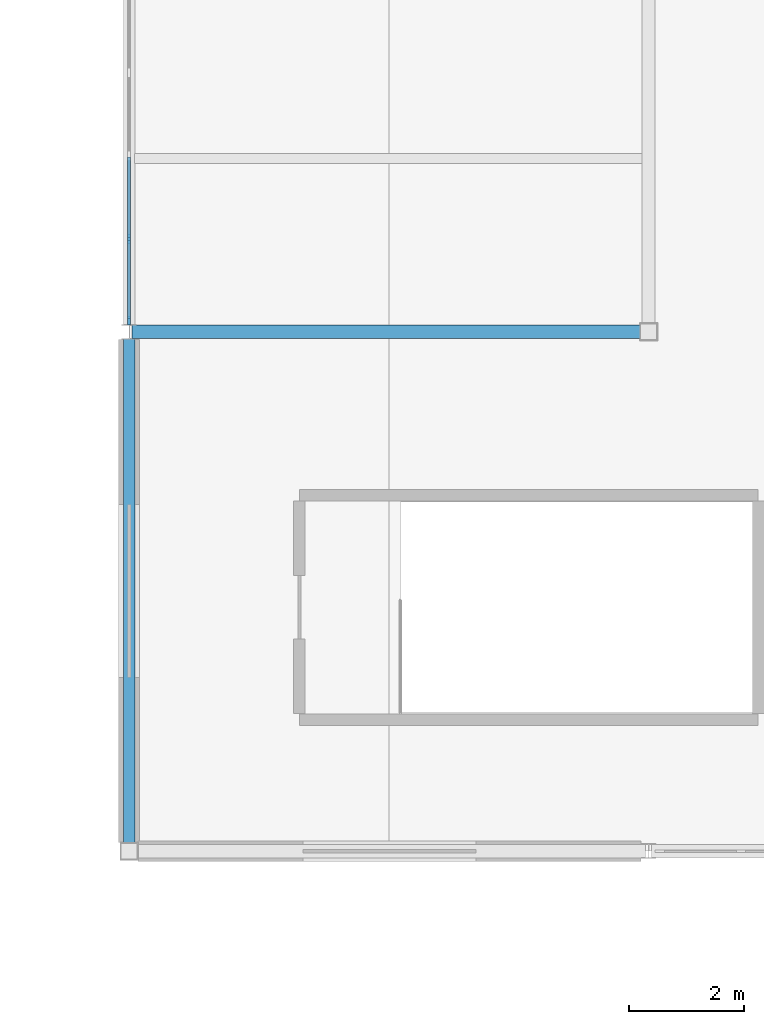
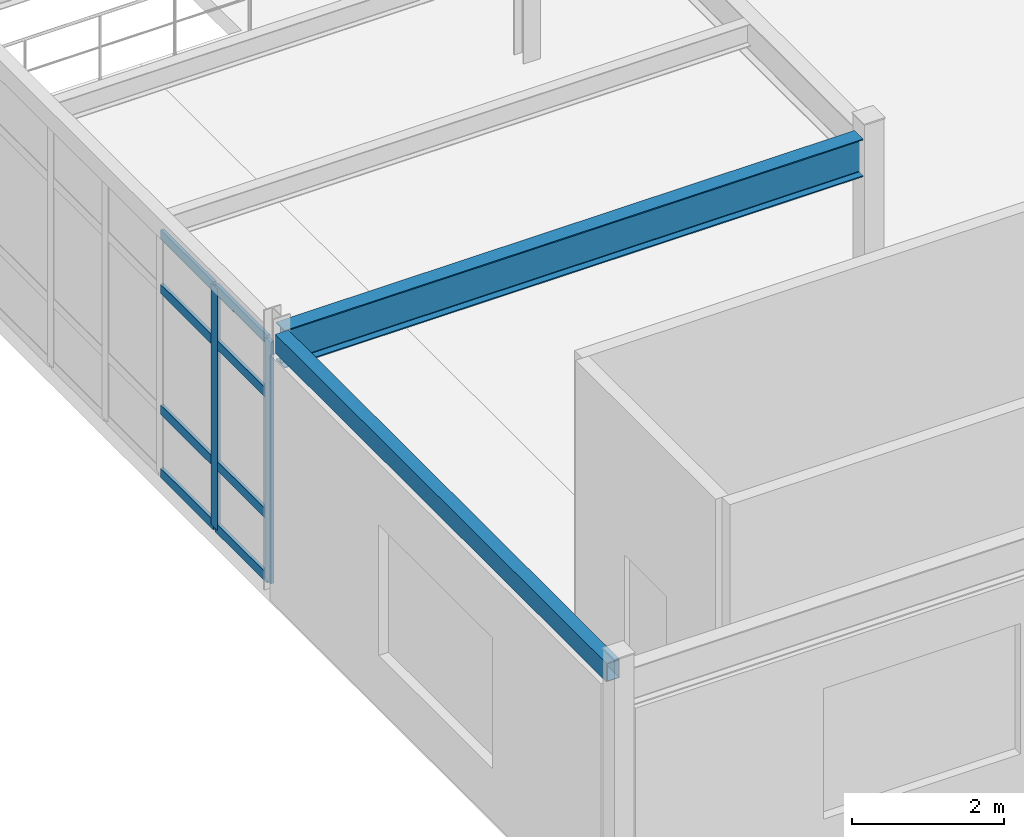
# One storey, part 18 of 81: 10 members, 2 beams, 1 element without a shape of its own.
"""IFC4 building model written with IfcOpenShell, lengths in metres."""

import ifcopenshell
import ifcopenshell.guid

model = None  # the IFC model being written
_history = None  # IfcOwnerHistory: only IFC2X3 demands one
_inside = {}  # id of a spatial element -> (the spatial element, [elements in it])
_under = {}  # id of a project, library or spatial element -> (it, [spatial elements below it])
_declared = {}  # id of a project -> (the project, [libraries it declares])
_typed = {}  # id of a type object -> (the type object, [elements of that type])
_made_of = {}  # id of a material, layer set ... -> (it, [elements and type objects made of it])


def new_model(schema):
    """Start an empty IFC model of exactly this schema.

    Asked for "IFC4X3", IfcOpenShell would pick the latest addendum, in which some entities
    have other attributes; the version numbers below select the first issue.
    IFC2X3 requires an IfcOwnerHistory on every rooted entity: one is made here for all.
    """
    global model, _history
    if schema == "IFC4X3":
        model = ifcopenshell.file(schema_version=(4, 3, 0, 0))
    else:
        model = ifcopenshell.file(schema=schema)
    _inside.clear()
    _under.clear()
    _declared.clear()
    _typed.clear()
    _made_of.clear()
    _history = None
    if model.schema == "IFC2X3":
        org = make("IfcOrganization", Name="unknown")
        user = make(
            "IfcPersonAndOrganization",
            ThePerson=make("IfcPerson", FamilyName="unknown"),
            TheOrganization=org,
        )
        app = make(
            "IfcApplication",
            ApplicationDeveloper=org,
            Version="unknown",
            ApplicationFullName="unknown",
            ApplicationIdentifier="unknown",
        )
        _history = make(
            "IfcOwnerHistory",
            OwningUser=user,
            OwningApplication=app,
            ChangeAction="ADDED",
            CreationDate=0,
        )
    return model


def make(cls, **values):
    """One entity of the class cls with the attributes given. An attribute that is None is left unset."""
    return model.create_entity(
        cls, **{name: value for name, value in values.items() if value is not None}
    )


def rooted(cls, **values):
    """An entity with a GlobalId (a new one), such as an element, a storey or a relation."""
    return make(cls, GlobalId=ifcopenshell.guid.new(), OwnerHistory=_history, **values)


def si_unit(unit_type, name, prefix=None):
    """IfcSIUnit, for example si_unit("LENGTHUNIT", "METRE", prefix="MILLI")."""
    return make("IfcSIUnit", UnitType=unit_type, Prefix=prefix, Name=name)


def assignment(units):
    """IfcUnitAssignment: the units of a project."""
    return None if units is None else make("IfcUnitAssignment", Units=units)


def point(xyz):
    """IfcCartesianPoint."""
    return None if xyz is None else make("IfcCartesianPoint", Coordinates=xyz)


def direction(xyz):
    """IfcDirection."""
    return None if xyz is None else make("IfcDirection", DirectionRatios=xyz)


def frame(location, z_axis=None, x_axis=None):
    """IfcAxis2Placement3D, a coordinate frame: its origin and axes. An axis left out is left unset."""
    return make(
        "IfcAxis2Placement3D",
        Location=point(location),
        Axis=direction(z_axis),
        RefDirection=direction(x_axis),
    )


def frame_2d(location, x_axis=None):
    """IfcAxis2Placement2D, a coordinate frame in the plane: its origin and x axis."""
    return make(
        "IfcAxis2Placement2D", Location=point(location), RefDirection=direction(x_axis)
    )


def origin():
    """The frame at (0, 0, 0) with its axes left unset."""
    return frame((0.0, 0.0, 0.0))


def origin_2d():
    """The frame at (0, 0) in the plane with its x axis left unset."""
    return frame_2d((0.0, 0.0))


def place(relative_to, where):
    """IfcLocalPlacement: puts the frame where relative to a parent placement (None: the world)."""
    return make(
        "IfcLocalPlacement", PlacementRelTo=relative_to, RelativePlacement=where
    )


def context(
    kind, dimensions, precision=None, world=None, true_north=None, identifier=None
):
    """IfcGeometricRepresentationContext, for example the 3D "Model" context."""
    return make(
        "IfcGeometricRepresentationContext",
        ContextIdentifier=identifier,
        ContextType=kind,
        CoordinateSpaceDimension=dimensions,
        Precision=precision,
        WorldCoordinateSystem=world,
        TrueNorth=true_north,
    )


def subcontext(parent, identifier, kind, view, scale=None):
    """IfcGeometricRepresentationSubContext, for example "Body" below "Model"."""
    return make(
        "IfcGeometricRepresentationSubContext",
        ContextIdentifier=identifier,
        ContextType=kind,
        ParentContext=parent,
        TargetScale=scale,
        TargetView=view,
    )


def project(units=None, contexts=None):
    """IfcProject with its units and contexts."""
    return rooted(
        "IfcProject",
        Name="project",
        RepresentationContexts=contexts,
        UnitsInContext=assignment(units),
    )


def spatial(cls, under=None, at=None, **own):
    """A site, building, storey or space (cls), placed at a placement, below another one or the project."""
    s = rooted(cls, ObjectPlacement=at, **own)
    if under is not None:
        _under.setdefault(under.id(), (under, []))[1].append(s)
    return s


def profile(cls, at=None, kind="AREA", **sizes):
    """A parametric profile (cls). Its sizes go by their IFC names, for example OverallWidth=200.0."""
    return make(cls, ProfileType=kind, Position=at, **sizes)


def rectangle(**sizes):
    """IfcRectangleProfileDef."""
    return profile("IfcRectangleProfileDef", **sizes)


def hollow_rectangle(**sizes):
    """IfcRectangleHollowProfileDef."""
    return profile("IfcRectangleHollowProfileDef", **sizes)


def i_section(**sizes):
    """IfcIShapeProfileDef."""
    return profile("IfcIShapeProfileDef", **sizes)


def extrude(swept, where, along, depth):
    """IfcExtrudedAreaSolid: the profile swept, set in the frame where, extruded along a direction by depth."""
    return make(
        "IfcExtrudedAreaSolid",
        SweptArea=swept,
        Position=where,
        ExtrudedDirection=direction(along),
        Depth=depth,
    )


def shape(context_of_items, identifier, shape_type, items):
    """IfcShapeRepresentation: the items that make up one representation, for example the "Body"."""
    return make(
        "IfcShapeRepresentation",
        ContextOfItems=context_of_items,
        RepresentationIdentifier=identifier,
        RepresentationType=shape_type,
        Items=items,
    )


def material(Name=None, Category=None):
    """IfcMaterial."""
    return make("IfcMaterial", Name=Name, Category=Category)


def material_profile(
    of_material, cross_section, Name=None, Category=None, Priority=None
):
    """IfcMaterialProfile: a cross section and its material."""
    return make(
        "IfcMaterialProfile",
        Name=Name,
        Material=of_material,
        Profile=cross_section,
        Priority=Priority,
        Category=Category,
    )


def profile_set(profiles, Name=None, composite=None):
    """IfcMaterialProfileSet."""
    return make(
        "IfcMaterialProfileSet",
        Name=Name,
        MaterialProfiles=profiles,
        CompositeProfile=composite,
    )


def made_of(thing, what):
    """Note that an element or type object is made of a material, layer set ...; save() writes the relation."""
    if what is not None:
        _made_of.setdefault(what.id(), (what, []))[1].append(thing)
    return thing


def type_object(cls, material=None, **own):
    """A type object (cls), such as IfcWallType, which elements share."""
    return made_of(rooted(cls, **own), material)


def element(
    cls,
    number,
    at=None,
    inside=None,
    cuts=None,
    type_object=None,
    material=None,
    context=None,
    identifier="Body",
    shape_type=None,
    held_by="IfcProductDefinitionShape",
    body=None,
    shapes=None,
    **own,
):
    """One element of the class cls, such as IfcWall. Its Tag is "e" and its number.

    at: its placement. inside: the storey or other place that contains it. cuts: it is an
    opening in that element (IfcRelVoidsElement). A single representation is given by context,
    identifier, shape_type and body (its items); several are given by shapes. held_by: the class
    of the entity that holds the representations. save() writes the other relations.
    """
    e = rooted(cls, Tag="e%d" % number, ObjectPlacement=at, **own)
    if body is not None:
        shapes = [shape(context, identifier, shape_type, body)]
    if shapes is not None:
        e.Representation = make(held_by, Representations=shapes)
    if inside is not None:
        _inside.setdefault(inside.id(), (inside, []))[1].append(e)
    if cuts is not None:
        rooted(
            "IfcRelVoidsElement", RelatingBuildingElement=cuts, RelatedOpeningElement=e
        )
    if type_object is not None:
        _typed.setdefault(type_object.id(), (type_object, []))[1].append(e)
    return made_of(e, material)


def aggregate(whole, parts):
    """IfcRelAggregates: a whole, such as a stair, and the parts it consists of."""
    return rooted("IfcRelAggregates", RelatingObject=whole, RelatedObjects=parts)


def save(model, path):
    """Write the relations noted so far, then the file.

    IfcRelAggregates (storeys below a building ...), IfcRelContainedInSpatialStructure (elements
    in a storey), IfcRelDefinesByType, IfcRelAssociatesMaterial and IfcRelDeclares: one each for
    every whole, place, type object, material and project.
    """
    for whole, parts in _under.values():
        aggregate(whole, parts)
    for where, things in _inside.values():
        rooted(
            "IfcRelContainedInSpatialStructure",
            RelatedElements=things,
            RelatingStructure=where,
        )
    for kind, things in _typed.values():
        rooted("IfcRelDefinesByType", RelatedObjects=things, RelatingType=kind)
    for what, things in _made_of.values():
        rooted("IfcRelAssociatesMaterial", RelatedObjects=things, RelatingMaterial=what)
    for by, libraries in _declared.values():
        rooted("IfcRelDeclares", RelatingContext=by, RelatedDefinitions=libraries)
    model.write(path)


model = new_model("IFC4")

# Units and contexts
model_context = context("Model", 3, precision=1e-05, world=origin(), true_north=direction((0.0, 1.0)))
body_context = subcontext(model_context, "Body", "Model", "MODEL_VIEW")
ifc_project = project(units=[si_unit("LENGTHUNIT", "METRE"), si_unit("AREAUNIT", "SQUARE_METRE"), si_unit("VOLUMEUNIT", "CUBIC_METRE"), si_unit("PLANEANGLEUNIT", "RADIAN"), si_unit("MASSUNIT", "GRAM", prefix="KILO")], contexts=[model_context])

# Site, building, storey
site_placement = place(None, origin())
site = spatial("IfcSite", under=ifc_project, at=site_placement, CompositionType="ELEMENT")
building_placement = place(site_placement, origin())
building = spatial("IfcBuilding", under=site, at=building_placement, Name="Glasvene Arena", CompositionType="ELEMENT")
storey_placement = place(building_placement, frame((0.0, 0.0, 15.0)))
storey = spatial("IfcBuildingStorey", under=building, at=storey_placement, Name="L03", CompositionType="ELEMENT", Elevation=15.0)

# Beams
ifc_material_1 = material(Name="Steel S355J2", Category="steel")
ifc_material_profile_1 = material_profile(ifc_material_1, i_section(OverallWidth=0.228271484375, OverallDepth=0.607666015625, WebThickness=0.010986328125, FlangeThickness=0.017333984375, FilletRadius=0.0126953125, at=origin_2d()), Name="UKB 610x229x113")
ifc_profile_set_1 = profile_set([ifc_material_profile_1], Name="Steel S355J2")
beam_type_1 = type_object("IfcBeamType", Name="BM-GIRD-610", PredefinedType="BEAM", material=ifc_profile_set_1)
beam_1_placement = place(storey_placement, frame((27.050048828125, 45.0, 3.9462890625), z_axis=(1.0, 0.0, 0.0), x_axis=(0.0, 1.0, 0.0)))
element("IfcBeam", 1, at=beam_1_placement, inside=storey, type_object=beam_type_1, Name="Primary X girder L03-0941", PredefinedType="BEAM", context=body_context, shape_type="SweptSolid", body=[
    extrude(i_section(OverallWidth=0.228271484375, OverallDepth=0.607666015625, WebThickness=0.010986328125, FlangeThickness=0.017333984375, FilletRadius=0.0126953125, at=origin_2d()), origin(), (0.0, 0.0, 1.0), 8.804931640625),
])
ifc_material_profile_2 = material_profile(ifc_material_1, hollow_rectangle(XDim=0.199951171875, YDim=0.300048828125, WallThickness=0.012451171875, at=origin_2d()), Name="RHS 300x200x12.5")
ifc_profile_set_2 = profile_set([ifc_material_profile_2], Name="Steel S355J2")
beam_type_2 = type_object("IfcBeamType", Name="BM-SPAND-300", PredefinedType="SPANDREL", material=ifc_profile_set_2)
beam_2_placement = place(storey_placement, frame((27.0, 36.14501953125, 4.10009765625), z_axis=(0.0, 1.0, 0.0), x_axis=(-1.0, 0.0, 0.0)))
element("IfcBeam", 2, at=beam_2_placement, inside=storey, type_object=beam_type_2, Name="Primary Y girder L03-0977", PredefinedType="SPANDREL", context=body_context, shape_type="SweptSolid", body=[
    extrude(hollow_rectangle(XDim=0.199951171875, YDim=0.300048828125, WallThickness=0.012451171875, at=origin_2d()), origin(), (0.0, 0.0, 1.0), 8.72998046875),
])

# Curtain wall, members
ifc_material_2 = material(Name="Low-emissivity laminated double glazing", Category="glass")
curtain_wall_type = type_object("IfcCurtainWallType", Name="CW-FAC-L03-864x388", PredefinedType="USERDEFINED", material=ifc_material_2)
curtain_wall_placement = place(storey_placement, frame((27.0, 45.172119140625, 0.0)))
curtain_wall = element("IfcCurtainWall", 3, at=curtain_wall_placement, inside=storey, type_object=curtain_wall_type, Name="Unitised curtain wall CW-F-L03-150-270-495-76", ObjectType="CURTAIN WALL", PredefinedType="USERDEFINED")
ifc_material_3 = material(Name="Anodised architectural aluminium", Category="aluminium")
ifc_material_profile_3 = material_profile(ifc_material_3, rectangle(XDim=0.050048828125, YDim=0.159912109375, at=origin_2d()), Name="ALU MULLION 50x160")
ifc_profile_set_3 = profile_set([ifc_material_profile_3], Name="Anodised architectural aluminium")
member_type_1 = type_object("IfcMemberType", Name="CW-MUL-150", PredefinedType="MULLION", material=ifc_profile_set_3)
member_1_placement = place(storey_placement, frame((27.0, 45.197265625, 0.06005859375), z_axis=(0.0, 0.0, 1.0), x_axis=(-1.0, 0.0, 0.0)))
member_1 = element("IfcMember", 4, at=member_1_placement, type_object=member_type_1, Name="CW-033 mullion 1", PredefinedType="MULLION", context=body_context, shape_type="SweptSolid", body=[
    extrude(rectangle(XDim=0.050048828125, YDim=0.159912109375, at=origin_2d()), origin(), (0.0, 0.0, 1.0), 3.885009765625),
])
member_2_placement = place(storey_placement, frame((27.0, 46.611572265625, 0.06005859375), z_axis=(0.0, 0.0, 1.0), x_axis=(-1.0, 0.0, 0.0)))
member_2 = element("IfcMember", 5, at=member_2_placement, type_object=member_type_1, Name="CW-033 mullion 2", PredefinedType="MULLION", context=body_context, shape_type="SweptSolid", body=[
    extrude(rectangle(XDim=0.050048828125, YDim=0.159912109375, at=origin_2d()), origin(), (0.0, 0.0, 1.0), 3.885009765625),
])
ifc_material_profile_4 = material_profile(ifc_material_3, rectangle(XDim=0.050048828125, YDim=0.14990234375, at=origin_2d()), Name="ALU TRANSOM 50x150")
ifc_profile_set_4 = profile_set([ifc_material_profile_4], Name="Anodised architectural aluminium")
member_type_2 = type_object("IfcMemberType", Name="CW-TRN-150", PredefinedType="USERDEFINED", material=ifc_profile_set_4)
member_3_placement = place(storey_placement, frame((27.0, 45.22216796875, 0.0849609375), z_axis=(0.0, 1.0, 0.0), x_axis=(-1.0, 0.0, 0.0)))
member_3 = element("IfcMember", 6, at=member_3_placement, type_object=member_type_2, Name="CW-033 transom 1.1", ObjectType="TRANSOM", PredefinedType="USERDEFINED", context=body_context, shape_type="SweptSolid", body=[
    extrude(rectangle(XDim=0.050048828125, YDim=0.14990234375, at=origin_2d()), origin(), (0.0, 0.0, 1.0), 1.3642578125),
])
member_4_placement = place(storey_placement, frame((27.0, 45.22216796875, 1.10009765625), z_axis=(0.0, 1.0, 0.0), x_axis=(-1.0, 0.0, 0.0)))
member_4 = element("IfcMember", 7, at=member_4_placement, type_object=member_type_2, Name="CW-033 transom 1.2", ObjectType="TRANSOM", PredefinedType="USERDEFINED", context=body_context, shape_type="SweptSolid", body=[
    extrude(rectangle(XDim=0.050048828125, YDim=0.14990234375, at=origin_2d()), origin(), (0.0, 0.0, 1.0), 1.3642578125),
])
member_5_placement = place(storey_placement, frame((27.0, 45.22216796875, 3.044921875), z_axis=(0.0, 1.0, 0.0), x_axis=(-1.0, 0.0, 0.0)))
member_5 = element("IfcMember", 8, at=member_5_placement, type_object=member_type_2, Name="CW-033 transom 1.3", ObjectType="TRANSOM", PredefinedType="USERDEFINED", context=body_context, shape_type="SweptSolid", body=[
    extrude(rectangle(XDim=0.050048828125, YDim=0.14990234375, at=origin_2d()), origin(), (0.0, 0.0, 1.0), 1.3642578125),
])
member_6_placement = place(storey_placement, frame((27.0, 45.22216796875, 3.919921875), z_axis=(0.0, 1.0, 0.0), x_axis=(-1.0, 0.0, 0.0)))
member_6 = element("IfcMember", 9, at=member_6_placement, type_object=member_type_2, Name="CW-033 transom 1.4", ObjectType="TRANSOM", PredefinedType="USERDEFINED", context=body_context, shape_type="SweptSolid", body=[
    extrude(rectangle(XDim=0.050048828125, YDim=0.14990234375, at=origin_2d()), origin(), (0.0, 0.0, 1.0), 1.3642578125),
])
member_7_placement = place(storey_placement, frame((27.0, 46.636474609375, 0.0849609375), z_axis=(0.0, 1.0, 0.0), x_axis=(-1.0, 0.0, 0.0)))
member_7 = element("IfcMember", 10, at=member_7_placement, type_object=member_type_2, Name="CW-033 transom 2.1", ObjectType="TRANSOM", PredefinedType="USERDEFINED", context=body_context, shape_type="SweptSolid", body=[
    extrude(rectangle(XDim=0.050048828125, YDim=0.14990234375, at=origin_2d()), origin(), (0.0, 0.0, 1.0), 1.389404296875),
])
member_8_placement = place(storey_placement, frame((27.0, 46.636474609375, 1.10009765625), z_axis=(0.0, 1.0, 0.0), x_axis=(-1.0, 0.0, 0.0)))
member_8 = element("IfcMember", 11, at=member_8_placement, type_object=member_type_2, Name="CW-033 transom 2.2", ObjectType="TRANSOM", PredefinedType="USERDEFINED", context=body_context, shape_type="SweptSolid", body=[
    extrude(rectangle(XDim=0.050048828125, YDim=0.14990234375, at=origin_2d()), origin(), (0.0, 0.0, 1.0), 1.389404296875),
])
member_9_placement = place(storey_placement, frame((27.0, 46.636474609375, 3.044921875), z_axis=(0.0, 1.0, 0.0), x_axis=(-1.0, 0.0, 0.0)))
member_9 = element("IfcMember", 12, at=member_9_placement, type_object=member_type_2, Name="CW-033 transom 2.3", ObjectType="TRANSOM", PredefinedType="USERDEFINED", context=body_context, shape_type="SweptSolid", body=[
    extrude(rectangle(XDim=0.050048828125, YDim=0.14990234375, at=origin_2d()), origin(), (0.0, 0.0, 1.0), 1.389404296875),
])
member_10_placement = place(storey_placement, frame((27.0, 46.636474609375, 3.919921875), z_axis=(0.0, 1.0, 0.0), x_axis=(-1.0, 0.0, 0.0)))
member_10 = element("IfcMember", 13, at=member_10_placement, type_object=member_type_2, Name="CW-033 transom 2.4", ObjectType="TRANSOM", PredefinedType="USERDEFINED", context=body_context, shape_type="SweptSolid", body=[
    extrude(rectangle(XDim=0.050048828125, YDim=0.14990234375, at=origin_2d()), origin(), (0.0, 0.0, 1.0), 1.389404296875),
])
aggregate(curtain_wall, [member_1, member_2, member_3, member_4, member_5, member_6, member_7, member_8, member_9, member_10])

save(model, "model.ifc")
